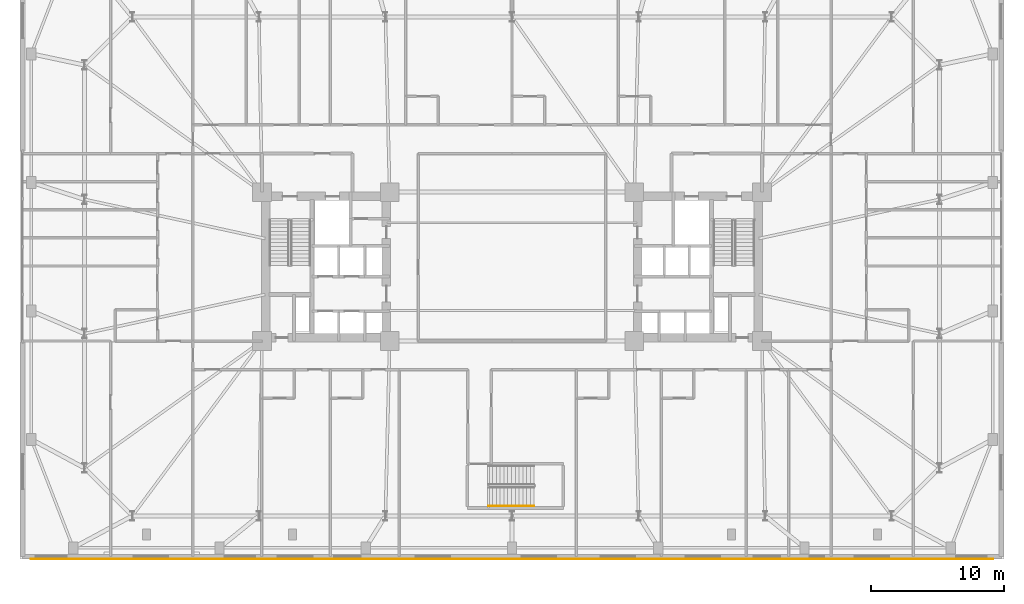
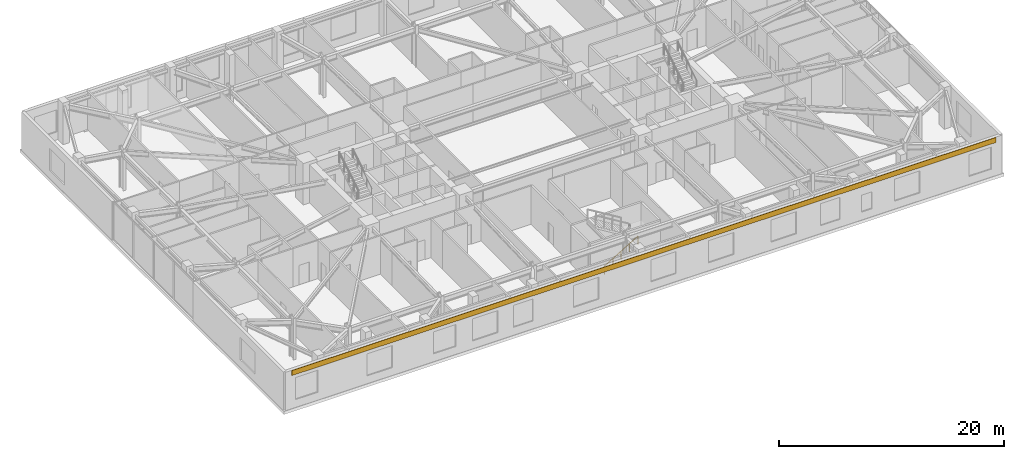
# One storey, part 19 of 21: 1 covering, 1 railing.
"""IFC4 building model written with IfcOpenShell, lengths in metres."""

from ifc_helpers import new_model, si_unit, direction, frame, origin, origin_2d, place, context, subcontext, project, spatial, polyline, circle, outline, extrude, material, layer, layer_set, type_object, element, save


model = new_model("IFC4")

# Units and contexts
model_context = context("Model", 3, precision=1e-05, world=origin(), true_north=direction((0.0, 1.0)))
body_context = subcontext(model_context, "Body", "Model", "MODEL_VIEW")
ifc_project = project(units=[si_unit("LENGTHUNIT", "METRE"), si_unit("AREAUNIT", "SQUARE_METRE"), si_unit("VOLUMEUNIT", "CUBIC_METRE"), si_unit("PLANEANGLEUNIT", "RADIAN"), si_unit("MASSUNIT", "GRAM", prefix="KILO")], contexts=[model_context])

# Site, building, storey
site_placement = place(None, origin())
site = spatial("IfcSite", under=ifc_project, at=site_placement, CompositionType="ELEMENT")
building_placement = place(site_placement, origin())
building = spatial("IfcBuilding", under=site, at=building_placement, Name="Qobustan Lattice House", CompositionType="ELEMENT")
storey_placement = place(building_placement, frame((0.0, 0.0, 18.0)))
storey = spatial("IfcBuildingStorey", under=building, at=storey_placement, Name="L04", CompositionType="ELEMENT", Elevation=18.0)

# Covering
ifc_material_1 = material(Name="Qobustan buff limestone cladding", Category="masonry")
ifc_layer = layer(ifc_material_1, 0.044921875)
ifc_layer_set = layer_set([ifc_layer], Name="Qobustan buff limestone cladding")
covering_type = type_object("IfcCoveringType", Name="COV-STONE-CLAD", PredefinedType="CLADDING", material=ifc_layer_set)
covering_placement = place(storey_placement, frame((0.0, 0.0, 3.6201171875)))
element("IfcCovering", 1, at=covering_placement, inside=storey, type_object=covering_type, Name="L04 S Qobustan limestone cornice band", PredefinedType="CLADDING", context=body_context, shape_type="SweptSolid", body=[
    extrude(outline(polyline([(36.199951171875, -21.9580078125), (36.199951171875, -22.0029296875), (-36.199951171875, -22.0029296875), (-36.199951171875, -21.9580078125), (36.199951171875, -21.9580078125)])), origin(), (0.0, 0.0, 1.0), 0.5498046875),
])

# Railing
ifc_material_2 = material(Name="Brushed stainless steel handrail", Category="steel")
railing_type = type_object("IfcRailingType", Name="RAL-HR-920", PredefinedType="HANDRAIL", material=ifc_material_2)
railing_placement = place(storey_placement, frame((-1.75, -18.010009765625, 0.173095703125)))
element("IfcRailing", 2, at=railing_placement, inside=storey, type_object=railing_type, Name="L04 ST-P1 stair handrail 1", PredefinedType="HANDRAIL", context=body_context, shape_type="SweptSolid", body=[
    extrude(circle(Radius=0.02392578125, at=origin_2d()), frame((0.0, 0.0, 0.8759765625), z_axis=(0.854729506542, 0.0, 0.519073665916), x_axis=(0.0, 1.0, 0.0)), (0.0, 0.0, 1.0), 4.001220703125),
    extrude(circle(Radius=0.02099609375, at=origin_2d()), origin(), (0.0, 0.0, 1.0), 0.851806640625),
    extrude(circle(Radius=0.02099609375, at=origin_2d()), frame((0.85498046875, 0.0, 0.519287109375)), (0.0, 0.0, 1.0), 0.851806640625),
    extrude(circle(Radius=0.02099609375, at=origin_2d()), frame((1.7099609375, 0.0, 1.03857421875)), (0.0, 0.0, 1.0), 0.851806640625),
    extrude(circle(Radius=0.02099609375, at=origin_2d()), frame((2.56494140625, 0.0, 1.5576171875)), (0.0, 0.0, 1.0), 0.851806640625),
    extrude(circle(Radius=0.02099609375, at=origin_2d()), frame((3.419921875, 0.0, 2.076904296875)), (0.0, 0.0, 1.0), 0.851806640625),
])

save(model, "model.ifc")
